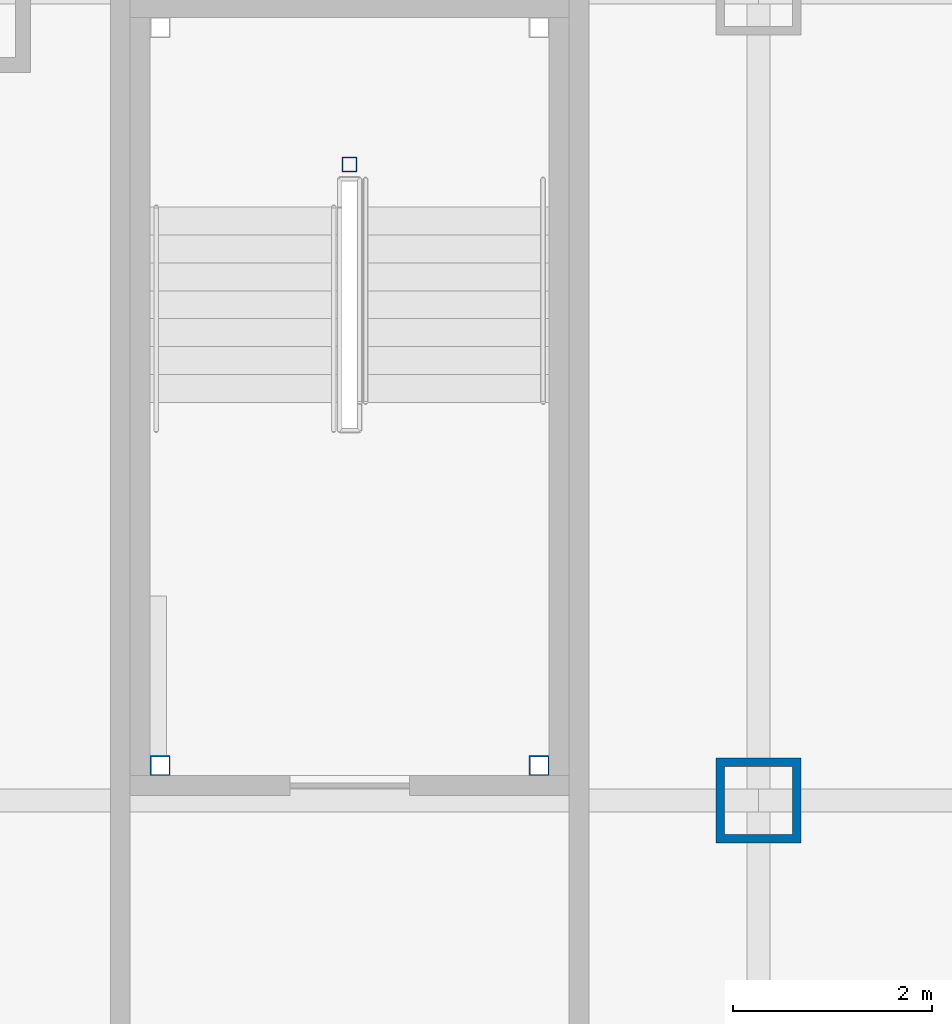
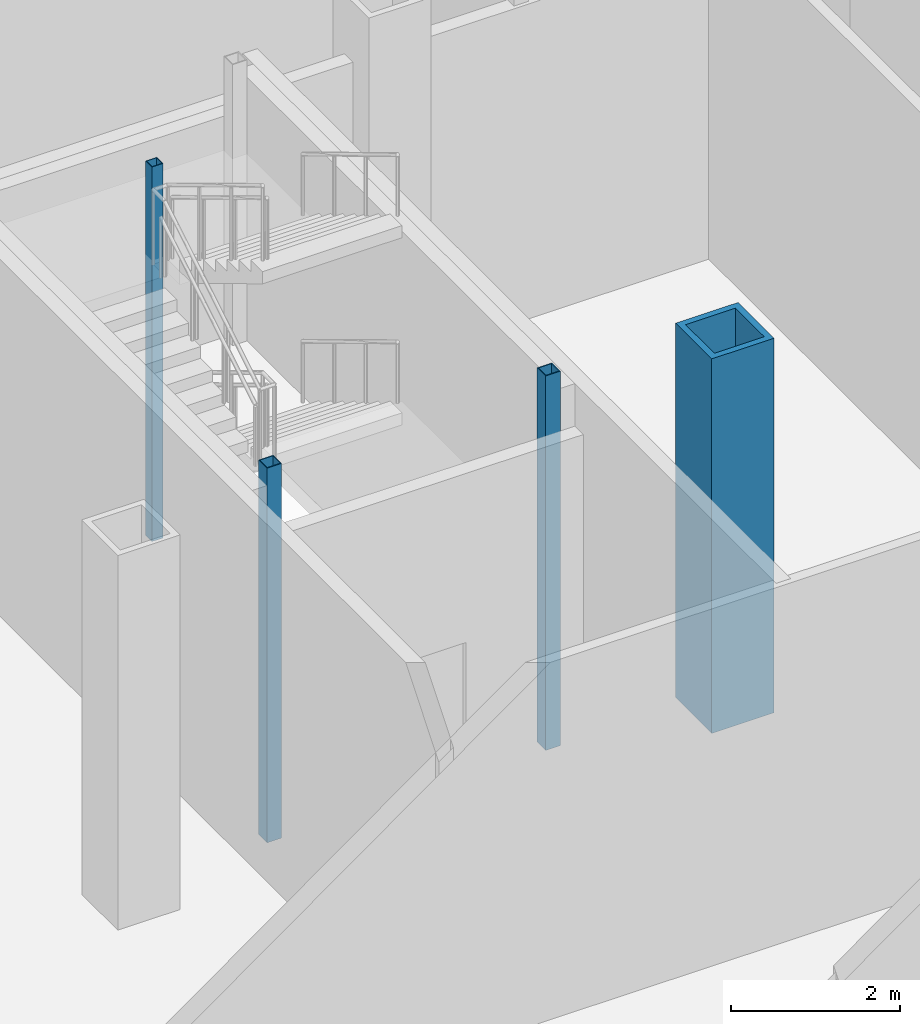
# One storey, part 4 of 29: 4 columns.
"""IFC4 building model written with IfcOpenShell, lengths in metres."""

from ifc_helpers import new_model, si_unit, direction, frame, origin, origin_2d, place, context, subcontext, project, spatial, hollow_rectangle, extrude, material, material_profile, profile_set, type_object, element, save


model = new_model("IFC4")

# Units and contexts
model_context = context("Model", 3, precision=1e-05, world=origin(), true_north=direction((0.0, 1.0)))
body_context = subcontext(model_context, "Body", "Model", "MODEL_VIEW")
ifc_project = project(units=[si_unit("LENGTHUNIT", "METRE"), si_unit("AREAUNIT", "SQUARE_METRE"), si_unit("VOLUMEUNIT", "CUBIC_METRE"), si_unit("PLANEANGLEUNIT", "RADIAN"), si_unit("MASSUNIT", "GRAM", prefix="KILO")], contexts=[model_context])

# Site, building, storey
site_placement = place(None, origin())
site = spatial("IfcSite", under=ifc_project, at=site_placement, CompositionType="ELEMENT")
building_placement = place(site_placement, origin())
building = spatial("IfcBuilding", under=site, at=building_placement, Name="Kopane Lantern Tower", CompositionType="ELEMENT")
storey_placement = place(building_placement, frame((0.0, 0.0, 11.39990234375)))
storey = spatial("IfcBuildingStorey", under=building, at=storey_placement, Name="L02", CompositionType="ELEMENT", Elevation=11.39990234375)

# Columns
ifc_material_1 = material(Name="Steel S355JR", Category="steel")
ifc_material_profile_1 = material_profile(ifc_material_1, hollow_rectangle(XDim=0.85009765625, YDim=0.85009765625, WallThickness=0.0849609375, at=origin_2d()), Name="BOX 850x850x85")
ifc_profile_set_1 = profile_set([ifc_material_profile_1], Name="Steel S355JR")
column_type_1 = type_object("IfcColumnType", Name="COLUMN BOX 850x850x85", PredefinedType="COLUMN", material=ifc_profile_set_1)
column_1_placement = place(storey_placement, frame((48.60009765625, 16.199951171875, 0.0), z_axis=(0.0, 0.0, 1.0), x_axis=(1.0, 0.0, 0.0)))
element("IfcColumn", 1, at=column_1_placement, inside=storey, type_object=column_type_1, Name="Column 8/D L02", PredefinedType="COLUMN", context=body_context, shape_type="SweptSolid", body=[
    extrude(hollow_rectangle(XDim=0.85009765625, YDim=0.85009765625, WallThickness=0.0849609375, at=origin_2d()), origin(), (0.0, 0.0, 1.0), 5.400146484375),
])
ifc_material_2 = material(Name="Steel S355JR", Category="steel")
ifc_material_profile_2 = material_profile(ifc_material_2, hollow_rectangle(XDim=0.14990234375, YDim=0.14990234375, WallThickness=0.010009765625, at=origin_2d()), Name="BOX 150x150x10")
ifc_profile_set_2 = profile_set([ifc_material_profile_2], Name="Steel S355JR")
column_type_2 = type_object("IfcColumnType", Name="STAIR NEWEL POST BOX 150x150x10", PredefinedType="COLUMN", material=ifc_profile_set_2)
column_2_placement = place(storey_placement, frame((44.5, 22.574951171875, 0.0), z_axis=(0.0, 0.0, 1.0), x_axis=(1.0, 0.0, 0.0)))
element("IfcColumn", 2, at=column_2_placement, inside=storey, type_object=column_type_2, Name="Stair newel post ST4 NEWEL L02", PredefinedType="COLUMN", context=body_context, shape_type="SweptSolid", body=[
    extrude(hollow_rectangle(XDim=0.14990234375, YDim=0.14990234375, WallThickness=0.010009765625, at=origin_2d()), origin(), (0.0, 0.0, 1.0), 5.400146484375),
])
ifc_material_3 = material(Name="Steel S355JR", Category="steel")
ifc_material_profile_3 = material_profile(ifc_material_3, hollow_rectangle(XDim=0.199951171875, YDim=0.199951171875, WallThickness=0.011962890625, at=origin_2d()), Name="BOX 200x200x12")
ifc_profile_set_3 = profile_set([ifc_material_profile_3], Name="Steel S355JR")
column_type_3 = type_object("IfcColumnType", Name="STAIR POST BOX 200x200x12", PredefinedType="COLUMN", material=ifc_profile_set_3)
for number, where, z_axis, x_axis, name in (
    (3, (42.60009765625, 16.550048828125, 0.0), (0.0, 0.0, 1.0), (1.0, 0.0, 0.0), "Stair post ST4 SW L02"),
    (4, (46.39990234375, 16.550048828125, 0.0), (0.0, 0.0, 1.0), (1.0, 0.0, 0.0), "Stair post ST4 SE L02"),
):
    element("IfcColumn", number, at=place(storey_placement, frame(where, z_axis=z_axis, x_axis=x_axis)), inside=storey, type_object=column_type_3, Name=name, PredefinedType="COLUMN", context=body_context, shape_type="SweptSolid", body=[
        extrude(hollow_rectangle(XDim=0.199951171875, YDim=0.199951171875, WallThickness=0.011962890625, at=origin_2d()), origin(), (0.0, 0.0, 1.0), 5.400146484375),
    ])

save(model, "model.ifc")
